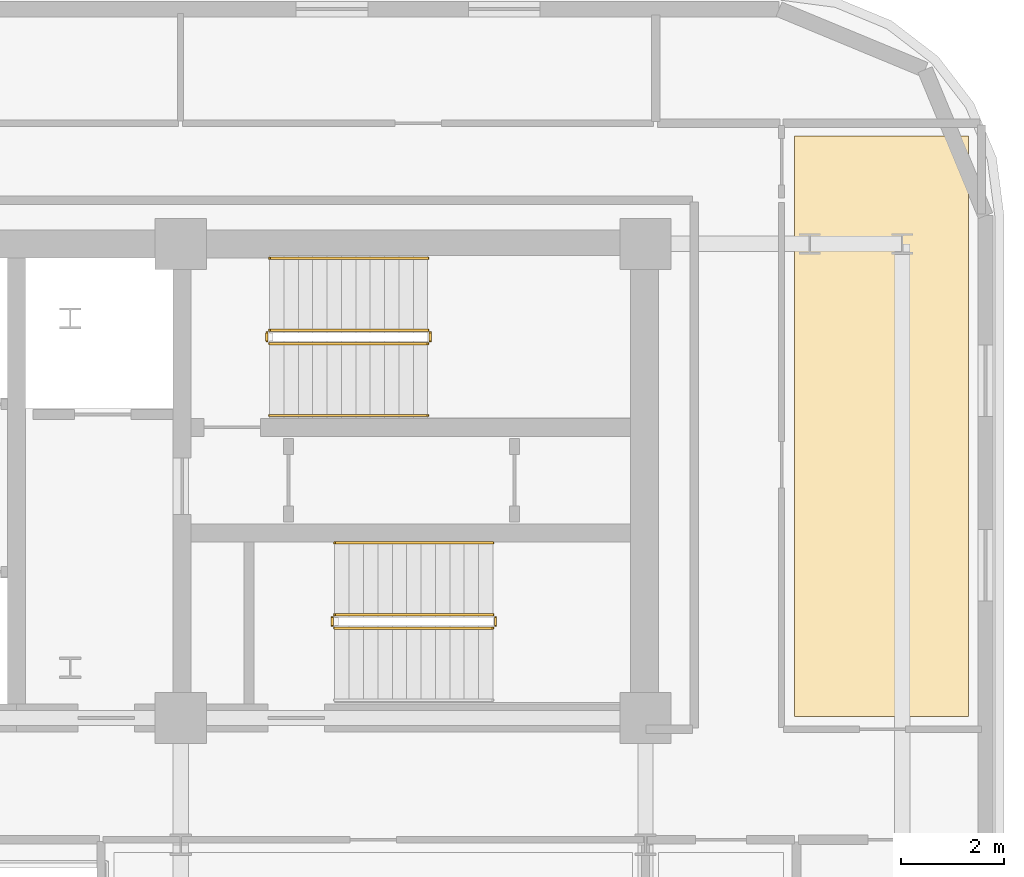
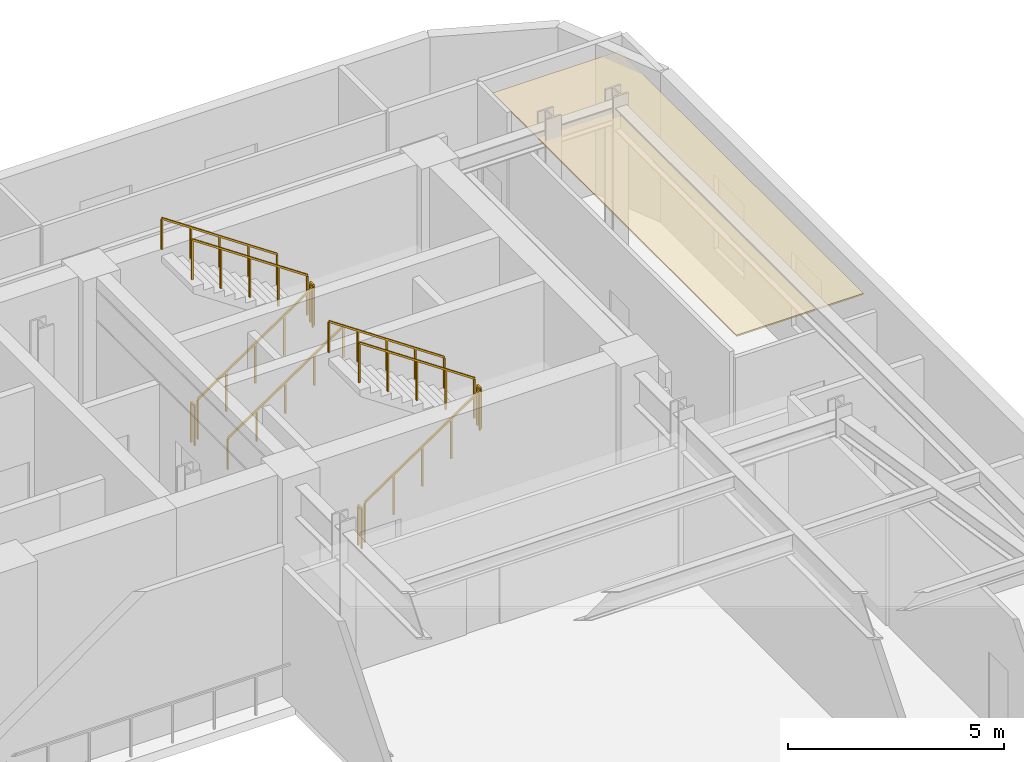
# One storey, part 13 of 13: 11 railings, 1 covering.
"""IFC4 building model written with IfcOpenShell, lengths in metres."""

from ifc_helpers import new_model, si_unit, direction, frame, origin, origin_2d, place, context, subcontext, project, spatial, polyline, rectangle, outline, extrude, material, layer, layer_set, type_object, element, save


model = new_model("IFC4")

# Units and contexts
model_context = context("Model", 3, precision=1e-05, world=origin(), true_north=direction((0.0, 1.0)))
body_context = subcontext(model_context, "Body", "Model", "MODEL_VIEW")
ifc_project = project(units=[si_unit("LENGTHUNIT", "METRE"), si_unit("AREAUNIT", "SQUARE_METRE"), si_unit("VOLUMEUNIT", "CUBIC_METRE"), si_unit("PLANEANGLEUNIT", "RADIAN"), si_unit("MASSUNIT", "GRAM", prefix="KILO")], contexts=[model_context])

# Site, building, storey
site_placement = place(None, origin())
site = spatial("IfcSite", under=ifc_project, at=site_placement, CompositionType="ELEMENT")
building_placement = place(site_placement, origin())
building = spatial("IfcBuilding", under=site, at=building_placement, Name="Zarnavel Station Tower", CompositionType="ELEMENT")
storey_placement = place(building_placement, frame((0.0, 0.0, 183.85009765625)))
storey = spatial("IfcBuildingStorey", under=building, at=storey_placement, Name="L50", CompositionType="ELEMENT", Elevation=183.85009765625)

# Covering
ifc_material_1 = material(Name="Perforated Gypsum and Mineral-Wool Acoustic Ceiling", Category="concrete")
ifc_layer = layer(ifc_material_1, 0.0400390625)
ifc_layer_set = layer_set([ifc_layer], Name="COV_CEIL_ACOUSTIC")
covering_type = type_object("IfcCoveringType", Name="COV_CEIL_ACOUSTIC", PredefinedType="CEILING", material=ifc_layer_set)
covering_placement = place(storey_placement, frame((0.0, 0.0, 3.909912109375)))
element("IfcCovering", 1, at=covering_placement, inside=storey, type_object=covering_type, Name="L50 SLNE Acoustic Ceiling", PredefinedType="CEILING", context=body_context, shape_type="SweptSolid", body=[
    extrude(outline(polyline([(48.300048828125, 27.85009765625), (51.68994140625, 27.85009765625), (51.68994140625, 39.14990234375), (48.300048828125, 39.14990234375), (48.300048828125, 27.85009765625)])), origin(), (0.0, 0.0, 1.0), 0.0400390625),
])

# Railings
ifc_material_2 = material(Name="Painted Steel S355J2 Balustrade", Category="steel")
railing_type_1 = type_object("IfcRailingType", Name="GR_INT_1150", PredefinedType="GUARDRAIL", material=ifc_material_2)
railing_1_placement = place(storey_placement, frame((38.080078125, 35.110107421875, 0.189453125)))
element("IfcRailing", 2, at=railing_1_placement, inside=storey, type_object=railing_type_1, Name="L50 ST2 stair guard 1", PredefinedType="GUARDRAIL", context=body_context, shape_type="SweptSolid", body=[
    extrude(rectangle(XDim=0.048095703125, YDim=0.048095703125, at=origin_2d()), frame((0.001708984375, 0.0, 1.126953125), z_axis=(0.828029772803, 0.0, 0.560684131532), x_axis=(0.0, 1.0, 0.0)), (0.0, 0.0, 1.0), 3.715576171875),
    extrude(rectangle(XDim=0.0419921875, YDim=0.0419921875, at=origin_2d()), origin(), (0.0, 0.0, 1.0), 1.101806640625),
    extrude(rectangle(XDim=0.0419921875, YDim=0.0419921875, at=origin_2d()), frame((0.77001953125, 0.0, 0.521484375)), (0.0, 0.0, 1.0), 1.101806640625),
    extrude(rectangle(XDim=0.0419921875, YDim=0.0419921875, at=origin_2d()), frame((1.5400390625, 0.0, 1.042724609375)), (0.0, 0.0, 1.0), 1.101806640625),
    extrude(rectangle(XDim=0.0419921875, YDim=0.0419921875, at=origin_2d()), frame((2.309814453125, 0.0, 1.56396484375)), (0.0, 0.0, 1.0), 1.101806640625),
    extrude(rectangle(XDim=0.0419921875, YDim=0.0419921875, at=origin_2d()), frame((3.079833984375, 0.0, 2.08544921875)), (0.0, 0.0, 1.0), 1.101806640625),
])
railing_2_placement = place(storey_placement, frame((41.2099609375, 35.159912109375, 2.27490234375)))
element("IfcRailing", 3, at=railing_2_placement, inside=storey, type_object=railing_type_1, Name="L50 ST2 stair guard 2", PredefinedType="GUARDRAIL", context=body_context, shape_type="SweptSolid", body=[
    extrude(rectangle(XDim=0.048095703125, YDim=0.048095703125, at=origin_2d()), frame((0.0, 0.001953125, 1.1259765625), z_axis=(0.0, 1.0, 0.0), x_axis=(-1.0, 0.0, 0.0)), (0.0, 0.0, 1.0), 0.15625),
    extrude(rectangle(XDim=0.0419921875, YDim=0.0419921875, at=origin_2d()), origin(), (0.0, 0.0, 1.0), 1.101806640625),
    extrude(rectangle(XDim=0.0419921875, YDim=0.0419921875, at=origin_2d()), frame((0.0, 0.16015625, 0.0)), (0.0, 0.0, 1.0), 1.101806640625),
])
railing_3_placement = place(storey_placement, frame((41.159912109375, 35.3701171875, 2.464599609375)))
element("IfcRailing", 4, at=railing_3_placement, inside=storey, type_object=railing_type_1, Name="L50 ST2 stair guard 3", PredefinedType="GUARDRAIL", context=body_context, shape_type="SweptSolid", body=[
    extrude(rectangle(XDim=0.048095703125, YDim=0.048095703125, at=origin_2d()), frame((-0.001708984375, 0.0, 1.126953125), z_axis=(-0.828060246242, 0.0, 0.560639125101), x_axis=(0.0, -1.0, 0.0)), (0.0, 0.0, 1.0), 3.71533203125),
    extrude(rectangle(XDim=0.0419921875, YDim=0.0419921875, at=origin_2d()), origin(), (0.0, 0.0, 1.0), 1.101806640625),
    extrude(rectangle(XDim=0.0419921875, YDim=0.0419921875, at=origin_2d()), frame((-0.77001953125, 0.0, 0.521240234375)), (0.0, 0.0, 1.0), 1.101806640625),
    extrude(rectangle(XDim=0.0419921875, YDim=0.0419921875, at=origin_2d()), frame((-1.5400390625, 0.0, 1.04248046875)), (0.0, 0.0, 1.0), 1.101806640625),
    extrude(rectangle(XDim=0.0419921875, YDim=0.0419921875, at=origin_2d()), frame((-2.309814453125, 0.0, 1.56396484375)), (0.0, 0.0, 1.0), 1.101806640625),
    extrude(rectangle(XDim=0.0419921875, YDim=0.0419921875, at=origin_2d()), frame((-3.079833984375, 0.0, 2.085205078125)), (0.0, 0.0, 1.0), 1.101806640625),
])
railing_4_placement = place(storey_placement, frame((38.030029296875, 35.159912109375, 0.0)))
element("IfcRailing", 5, at=railing_4_placement, inside=storey, type_object=railing_type_1, Name="L50 ST2 stair guard 4", PredefinedType="GUARDRAIL", context=body_context, shape_type="SweptSolid", body=[
    extrude(rectangle(XDim=0.048095703125, YDim=0.048095703125, at=origin_2d()), frame((0.0, 0.001953125, 1.1259765625), z_axis=(0.0, 1.0, 0.0), x_axis=(-1.0, 0.0, 0.0)), (0.0, 0.0, 1.0), 0.15625),
    extrude(rectangle(XDim=0.0419921875, YDim=0.0419921875, at=origin_2d()), origin(), (0.0, 0.0, 1.0), 1.101806640625),
    extrude(rectangle(XDim=0.0419921875, YDim=0.0419921875, at=origin_2d()), frame((0.0, 0.16015625, 0.0)), (0.0, 0.0, 1.0), 1.101806640625),
])
railing_5_placement = place(storey_placement, frame((39.35009765625, 29.570068359375, 0.189453125)))
element("IfcRailing", 6, at=railing_5_placement, inside=storey, type_object=railing_type_1, Name="L50 ST3 stair guard 1", PredefinedType="GUARDRAIL", context=body_context, shape_type="SweptSolid", body=[
    extrude(rectangle(XDim=0.048095703125, YDim=0.048095703125, at=origin_2d()), frame((0.001708984375, 0.0, 1.126953125), z_axis=(0.828029772803, 0.0, 0.560684131532), x_axis=(0.0, 1.0, 0.0)), (0.0, 0.0, 1.0), 3.715576171875),
    extrude(rectangle(XDim=0.0419921875, YDim=0.0419921875, at=origin_2d()), origin(), (0.0, 0.0, 1.0), 1.101806640625),
    extrude(rectangle(XDim=0.0419921875, YDim=0.0419921875, at=origin_2d()), frame((0.77001953125, 0.0, 0.521484375)), (0.0, 0.0, 1.0), 1.101806640625),
    extrude(rectangle(XDim=0.0419921875, YDim=0.0419921875, at=origin_2d()), frame((1.5400390625, 0.0, 1.042724609375)), (0.0, 0.0, 1.0), 1.101806640625),
    extrude(rectangle(XDim=0.0419921875, YDim=0.0419921875, at=origin_2d()), frame((2.309814453125, 0.0, 1.56396484375)), (0.0, 0.0, 1.0), 1.101806640625),
    extrude(rectangle(XDim=0.0419921875, YDim=0.0419921875, at=origin_2d()), frame((3.079833984375, 0.0, 2.08544921875)), (0.0, 0.0, 1.0), 1.101806640625),
])
railing_6_placement = place(storey_placement, frame((42.47998046875, 29.6201171875, 2.27490234375)))
element("IfcRailing", 7, at=railing_6_placement, inside=storey, type_object=railing_type_1, Name="L50 ST3 stair guard 2", PredefinedType="GUARDRAIL", context=body_context, shape_type="SweptSolid", body=[
    extrude(rectangle(XDim=0.048095703125, YDim=0.048095703125, at=origin_2d()), frame((0.0, 0.001953125, 1.1259765625), z_axis=(0.0, 1.0, 0.0), x_axis=(-1.0, 0.0, 0.0)), (0.0, 0.0, 1.0), 0.156005859375),
    extrude(rectangle(XDim=0.0419921875, YDim=0.0419921875, at=origin_2d()), origin(), (0.0, 0.0, 1.0), 1.101806640625),
    extrude(rectangle(XDim=0.0419921875, YDim=0.0419921875, at=origin_2d()), frame((0.0, 0.159912109375, 0.0)), (0.0, 0.0, 1.0), 1.101806640625),
])
railing_7_placement = place(storey_placement, frame((42.429931640625, 29.830078125, 2.464599609375)))
element("IfcRailing", 8, at=railing_7_placement, inside=storey, type_object=railing_type_1, Name="L50 ST3 stair guard 3", PredefinedType="GUARDRAIL", context=body_context, shape_type="SweptSolid", body=[
    extrude(rectangle(XDim=0.048095703125, YDim=0.048095703125, at=origin_2d()), frame((-0.001708984375, 0.0, 1.126953125), z_axis=(-0.828060246242, 0.0, 0.560639125101), x_axis=(0.0, -1.0, 0.0)), (0.0, 0.0, 1.0), 3.71533203125),
    extrude(rectangle(XDim=0.0419921875, YDim=0.0419921875, at=origin_2d()), origin(), (0.0, 0.0, 1.0), 1.101806640625),
    extrude(rectangle(XDim=0.0419921875, YDim=0.0419921875, at=origin_2d()), frame((-0.77001953125, 0.0, 0.521240234375)), (0.0, 0.0, 1.0), 1.101806640625),
    extrude(rectangle(XDim=0.0419921875, YDim=0.0419921875, at=origin_2d()), frame((-1.5400390625, 0.0, 1.04248046875)), (0.0, 0.0, 1.0), 1.101806640625),
    extrude(rectangle(XDim=0.0419921875, YDim=0.0419921875, at=origin_2d()), frame((-2.309814453125, 0.0, 1.56396484375)), (0.0, 0.0, 1.0), 1.101806640625),
    extrude(rectangle(XDim=0.0419921875, YDim=0.0419921875, at=origin_2d()), frame((-3.079833984375, 0.0, 2.085205078125)), (0.0, 0.0, 1.0), 1.101806640625),
])
railing_8_placement = place(storey_placement, frame((39.300048828125, 29.6201171875, 0.0)))
element("IfcRailing", 9, at=railing_8_placement, inside=storey, type_object=railing_type_1, Name="L50 ST3 stair guard 4", PredefinedType="GUARDRAIL", context=body_context, shape_type="SweptSolid", body=[
    extrude(rectangle(XDim=0.048095703125, YDim=0.048095703125, at=origin_2d()), frame((0.0, 0.001953125, 1.1259765625), z_axis=(0.0, 1.0, 0.0), x_axis=(-1.0, 0.0, 0.0)), (0.0, 0.0, 1.0), 0.156005859375),
    extrude(rectangle(XDim=0.0419921875, YDim=0.0419921875, at=origin_2d()), origin(), (0.0, 0.0, 1.0), 1.101806640625),
    extrude(rectangle(XDim=0.0419921875, YDim=0.0419921875, at=origin_2d()), frame((0.0, 0.159912109375, 0.0)), (0.0, 0.0, 1.0), 1.101806640625),
])
ifc_material_3 = material(Name="Brushed Stainless Steel S355J2 Handrail", Category="steel")
railing_type_2 = type_object("IfcRailingType", Name="HR_STAIR_900", PredefinedType="HANDRAIL", material=ifc_material_3)
railing_9_placement = place(storey_placement, frame((38.080078125, 33.7099609375, 0.189453125)))
element("IfcRailing", 10, at=railing_9_placement, inside=storey, type_object=railing_type_2, Name="L50 ST2 stair handrail 1", PredefinedType="HANDRAIL", context=body_context, shape_type="SweptSolid", body=[
    extrude(rectangle(XDim=0.048095703125, YDim=0.048095703125, at=origin_2d()), frame((0.001708984375, 0.0, 0.876953125), z_axis=(0.828029772803, 0.0, 0.560684131532), x_axis=(0.0, 1.0, 0.0)), (0.0, 0.0, 1.0), 3.715576171875),
    extrude(rectangle(XDim=0.0419921875, YDim=0.0419921875, at=origin_2d()), origin(), (0.0, 0.0, 1.0), 0.851806640625),
    extrude(rectangle(XDim=0.0419921875, YDim=0.0419921875, at=origin_2d()), frame((0.77001953125, 0.0, 0.521484375)), (0.0, 0.0, 1.0), 0.851806640625),
    extrude(rectangle(XDim=0.0419921875, YDim=0.0419921875, at=origin_2d()), frame((1.5400390625, 0.0, 1.042724609375)), (0.0, 0.0, 1.0), 0.851806640625),
    extrude(rectangle(XDim=0.0419921875, YDim=0.0419921875, at=origin_2d()), frame((2.309814453125, 0.0, 1.56396484375)), (0.0, 0.0, 1.0), 0.851806640625),
    extrude(rectangle(XDim=0.0419921875, YDim=0.0419921875, at=origin_2d()), frame((3.079833984375, 0.0, 2.08544921875)), (0.0, 0.0, 1.0), 0.851806640625),
])
for number, where, name in (
    (11, (41.159912109375, 36.77001953125, 2.464599609375), "L50 ST2 stair handrail 2"),
    (12, (42.429931640625, 31.22998046875, 2.464599609375), "L50 ST3 stair handrail 2"),
):
    element("IfcRailing", number, at=place(storey_placement, frame(where)), inside=storey, type_object=railing_type_2, Name=name, PredefinedType="HANDRAIL", context=body_context, shape_type="SweptSolid", body=[
        extrude(rectangle(XDim=0.048095703125, YDim=0.048095703125, at=origin_2d()), frame((-0.001708984375, 0.0, 0.876953125), z_axis=(-0.828060246242, 0.0, 0.560639125101), x_axis=(0.0, -1.0, 0.0)), (0.0, 0.0, 1.0), 3.71533203125),
        extrude(rectangle(XDim=0.0419921875, YDim=0.0419921875, at=origin_2d()), origin(), (0.0, 0.0, 1.0), 0.851806640625),
        extrude(rectangle(XDim=0.0419921875, YDim=0.0419921875, at=origin_2d()), frame((-0.77001953125, 0.0, 0.521240234375)), (0.0, 0.0, 1.0), 0.851806640625),
        extrude(rectangle(XDim=0.0419921875, YDim=0.0419921875, at=origin_2d()), frame((-1.5400390625, 0.0, 1.04248046875)), (0.0, 0.0, 1.0), 0.851806640625),
        extrude(rectangle(XDim=0.0419921875, YDim=0.0419921875, at=origin_2d()), frame((-2.309814453125, 0.0, 1.56396484375)), (0.0, 0.0, 1.0), 0.851806640625),
        extrude(rectangle(XDim=0.0419921875, YDim=0.0419921875, at=origin_2d()), frame((-3.079833984375, 0.0, 2.085205078125)), (0.0, 0.0, 1.0), 0.851806640625),
    ])

save(model, "model.ifc")
